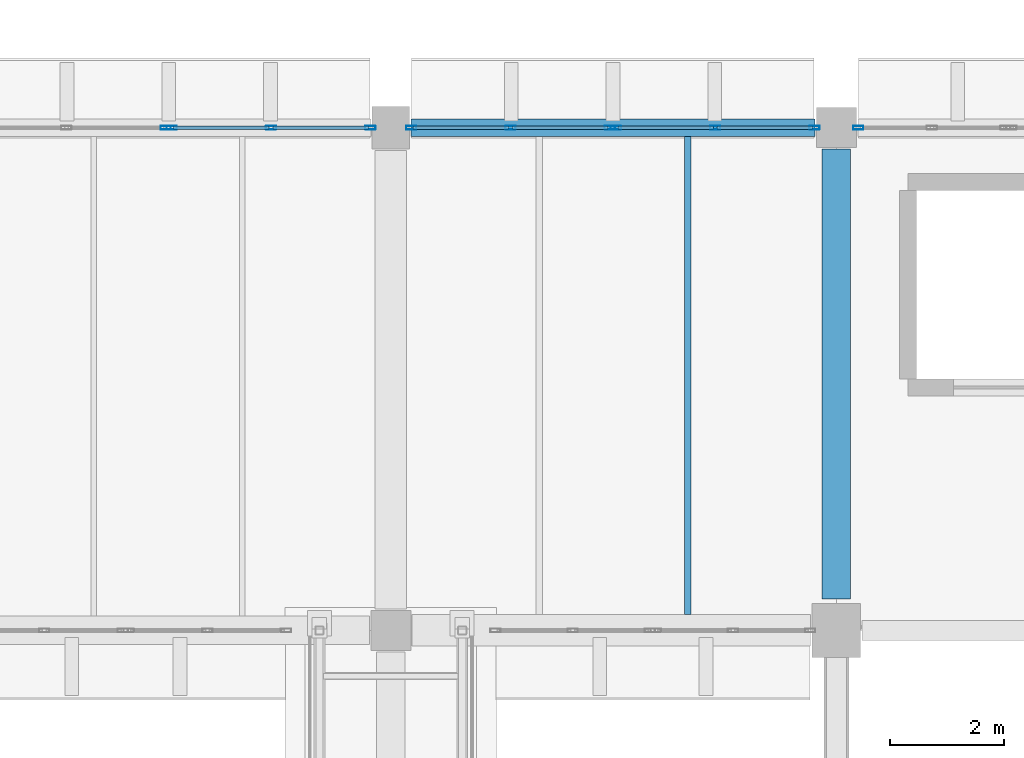
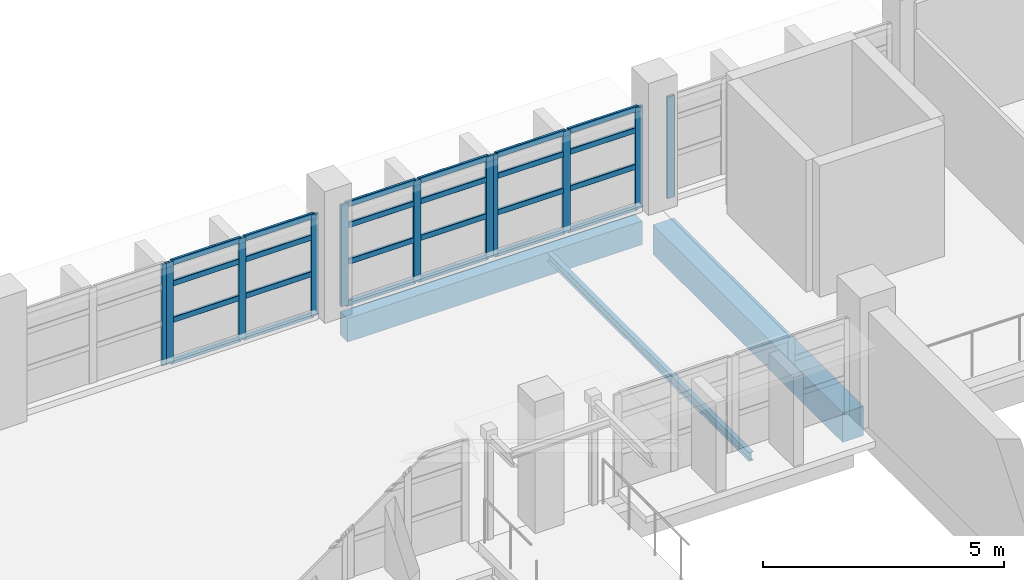
# One storey, part 29 of 75: 35 members, 3 beams, 5 elements without a shape of their own.
"""IFC4 building model written with IfcOpenShell, lengths in metres."""

from ifc_helpers import new_model, si_unit, direction, frame, origin, origin_2d, place, context, subcontext, project, spatial, rectangle, hollow_rectangle, i_section, extrude, material, material_profile, profile_set, type_object, element, aggregate, save


model = new_model("IFC4")

# Units and contexts
model_context = context("Model", 3, precision=1e-05, world=origin(), true_north=direction((0.0, 1.0)))
body_context = subcontext(model_context, "Body", "Model", "MODEL_VIEW")
ifc_project = project(units=[si_unit("LENGTHUNIT", "METRE"), si_unit("AREAUNIT", "SQUARE_METRE"), si_unit("VOLUMEUNIT", "CUBIC_METRE"), si_unit("PLANEANGLEUNIT", "RADIAN"), si_unit("MASSUNIT", "GRAM", prefix="KILO")], contexts=[model_context])

# Site, building, storey
site_placement = place(None, origin())
site = spatial("IfcSite", under=ifc_project, at=site_placement, CompositionType="ELEMENT")
building_placement = place(site_placement, origin())
building = spatial("IfcBuilding", under=site, at=building_placement, Name="Varnakota Cinema and Media Centre", CompositionType="ELEMENT")
storey_placement = place(building_placement, frame((0.0, 0.0, 8.39990234375)))
storey = spatial("IfcBuildingStorey", under=building, at=storey_placement, Name="L02", CompositionType="ELEMENT", Elevation=8.39990234375)

# Beams
ifc_material_1 = material(Name="Concrete M35", Category="concrete")
ifc_material_profile_1 = material_profile(ifc_material_1, rectangle(XDim=0.5, YDim=0.75, at=origin_2d()), Name="RCB 500x750")
ifc_profile_set_1 = profile_set([ifc_material_profile_1], Name="Concrete M35")
beam_type_1 = type_object("IfcBeamType", Name="BM-RC-500x750", PredefinedType="BEAM", material=ifc_profile_set_1)
beam_1_placement = place(storey_placement, frame((75.0, 35.75, -0.625), z_axis=(0.0, 1.0, 0.0), x_axis=(-1.0, 0.0, 0.0)))
element("IfcBeam", 1, at=beam_1_placement, inside=storey, type_object=beam_type_1, Name="L02 girder K/5-6", PredefinedType="BEAM", context=body_context, shape_type="SweptSolid", body=[
    extrude(rectangle(XDim=0.5, YDim=0.75, at=origin_2d()), origin(), (0.0, 0.0, 1.0), 7.875),
])
ifc_material_2 = material(Name="Concrete M35", Category="concrete")
ifc_material_profile_2 = material_profile(ifc_material_2, rectangle(XDim=0.300048828125, YDim=0.60009765625, at=origin_2d()), Name="RCB 300x600")
ifc_profile_set_2 = profile_set([ifc_material_profile_2], Name="Concrete M35")
beam_type_2 = type_object("IfcBeamType", Name="BM-SP-300x600", PredefinedType="SPANDREL", material=ifc_profile_set_2)
beam_2_placement = place(storey_placement, frame((67.550048828125, 44.0, -0.5498046875), z_axis=(1.0, 0.0, 0.0), x_axis=(0.0, 1.0, 0.0)))
element("IfcBeam", 2, at=beam_2_placement, inside=storey, type_object=beam_type_2, Name="L02 girder J-K/6", PredefinedType="SPANDREL", context=body_context, shape_type="SweptSolid", body=[
    extrude(rectangle(XDim=0.300048828125, YDim=0.60009765625, at=origin_2d()), origin(), (0.0, 0.0, 1.0), 7.074951171875),
])
ifc_material_3 = material(Name="Structural steel Grade 350 (E350)", Category="steel")
ifc_material_profile_3 = material_profile(ifc_material_3, i_section(OverallWidth=0.110107421875, OverallDepth=0.22509765625, WebThickness=0.006591796875, FlangeThickness=0.01171875, FilletRadius=0.011962890625, at=origin_2d()), Name="ISMB 225")
ifc_profile_set_3 = profile_set([ifc_material_profile_3], Name="Structural steel Grade 350 (E350)")
beam_type_3 = type_object("IfcBeamType", Name="BM-ST-ISMB225", PredefinedType="JOIST", material=ifc_profile_set_3)
beam_3_placement = place(storey_placement, frame((72.39990234375, 35.47509765625, -0.3623046875), z_axis=(0.0, 1.0, 0.0), x_axis=(-1.0, 0.0, 0.0)))
element("IfcBeam", 3, at=beam_3_placement, inside=storey, type_object=beam_type_3, Name="L02 steel joist J-K/5-6 #2", PredefinedType="JOIST", context=body_context, shape_type="SweptSolid", body=[
    extrude(i_section(OverallWidth=0.110107421875, OverallDepth=0.22509765625, WebThickness=0.006591796875, FlangeThickness=0.01171875, FilletRadius=0.011962890625, at=origin_2d()), origin(), (0.0, 0.0, 1.0), 8.375),
])

# Curtain wall, member
ifc_material_4 = material(Name="Thermally broken anodised aluminium AW-6063", Category="aluminium")
curtain_wall_type_1 = type_object("IfcCurtainWallType", Name="CW-STD-264x258", PredefinedType="USERDEFINED", material=ifc_material_4)
curtain_wall_1_placement = place(storey_placement, origin())
curtain_wall_1 = element("IfcCurtainWall", 4, at=curtain_wall_1_placement, inside=storey, type_object=curtain_wall_type_1, Name="L02 curtain wall CW-L02-V1-N-01-1", ObjectType="UNITISED CURTAIN WALL", PredefinedType="USERDEFINED")
ifc_material_5 = material(Name="Thermally broken anodised aluminium AW-6063", Category="aluminium")
ifc_material_profile_4 = material_profile(ifc_material_5, hollow_rectangle(XDim=0.06494140625, YDim=0.179931640625, WallThickness=0.00390625, InnerFilletRadius=0.00390625, OuterFilletRadius=0.008056640625, at=origin_2d()), Name="AL-MULLION 180x65x4")
ifc_profile_set_4 = profile_set([ifc_material_profile_4], Name="Thermally broken anodised aluminium AW-6063")
member_type_1 = type_object("IfcMemberType", Name="CWM-AL-180", PredefinedType="MULLION", material=ifc_profile_set_4)
member_1_placement = place(storey_placement, frame((75.382568359375, 44.0, 0.0), z_axis=(0.0, 0.0, 1.0), x_axis=(0.0, 1.0, 0.0)))
member_1 = element("IfcMember", 5, at=member_1_placement, type_object=member_type_1, Name="CW29 mullion 1", PredefinedType="MULLION", context=body_context, shape_type="SweptSolid", body=[
    extrude(hollow_rectangle(XDim=0.06494140625, YDim=0.179931640625, WallThickness=0.00390625, InnerFilletRadius=0.00390625, OuterFilletRadius=0.008056640625, at=origin_2d()), origin(), (0.0, 0.0, 1.0), 2.5751953125),
])
aggregate(curtain_wall_1, [member_1])

ifc_material_6 = material(Name="Thermally broken anodised aluminium AW-6063", Category="aluminium")
curtain_wall_type_2 = type_object("IfcCurtainWallType", Name="CW-STD-354x258", PredefinedType="USERDEFINED", material=ifc_material_6)
curtain_wall_2_placement = place(storey_placement, origin())
curtain_wall_2 = element("IfcCurtainWall", 6, at=curtain_wall_2_placement, inside=storey, type_object=curtain_wall_type_2, Name="L02 curtain wall CW-L02-LINK-N-03-1", ObjectType="UNITISED CURTAIN WALL", PredefinedType="USERDEFINED")
member_2_placement = place(storey_placement, frame((63.260009765625, 44.0, 0.0), z_axis=(0.0, 0.0, 1.0), x_axis=(0.0, 1.0, 0.0)))
member_2 = element("IfcMember", 7, at=member_2_placement, type_object=member_type_1, Name="CW31 mullion 3", PredefinedType="MULLION", context=body_context, shape_type="SweptSolid", body=[
    extrude(hollow_rectangle(XDim=0.06494140625, YDim=0.179931640625, WallThickness=0.00390625, InnerFilletRadius=0.00390625, OuterFilletRadius=0.008056640625, at=origin_2d()), origin(), (0.0, 0.0, 1.0), 2.5751953125),
])
aggregate(curtain_wall_2, [member_2])

# Curtain wall, members
curtain_wall_3_placement = place(storey_placement, origin())
curtain_wall_3 = element("IfcCurtainWall", 8, at=curtain_wall_3_placement, inside=storey, type_object=curtain_wall_type_2, Name="L02 curtain wall CW-L02-LINK-N-03-2", ObjectType="UNITISED CURTAIN WALL", PredefinedType="USERDEFINED")
member_3_placement = place(storey_placement, frame((63.364990234375, 44.0, 0.0), z_axis=(0.0, 0.0, 1.0), x_axis=(0.0, 1.0, 0.0)))
member_3 = element("IfcMember", 9, at=member_3_placement, type_object=member_type_1, Name="CW31 mullion 1", PredefinedType="MULLION", context=body_context, shape_type="SweptSolid", body=[
    extrude(hollow_rectangle(XDim=0.06494140625, YDim=0.179931640625, WallThickness=0.00390625, InnerFilletRadius=0.00390625, OuterFilletRadius=0.008056640625, at=origin_2d()), origin(), (0.0, 0.0, 1.0), 2.5751953125),
])
member_4_placement = place(storey_placement, frame((65.103759765625, 44.0, 0.0), z_axis=(0.0, 0.0, 1.0), x_axis=(0.0, 1.0, 0.0)))
member_4 = element("IfcMember", 10, at=member_4_placement, type_object=member_type_1, Name="CW31 mullion 2", PredefinedType="MULLION", context=body_context, shape_type="SweptSolid", body=[
    extrude(hollow_rectangle(XDim=0.06494140625, YDim=0.179931640625, WallThickness=0.00390625, InnerFilletRadius=0.00390625, OuterFilletRadius=0.008056640625, at=origin_2d()), origin(), (0.0, 0.0, 1.0), 2.5751953125),
])
member_5_placement = place(storey_placement, frame((66.842529296875, 44.0, 0.0), z_axis=(0.0, 0.0, 1.0), x_axis=(0.0, 1.0, 0.0)))
member_5 = element("IfcMember", 11, at=member_5_placement, type_object=member_type_1, Name="CW31 mullion 3", PredefinedType="MULLION", context=body_context, shape_type="SweptSolid", body=[
    extrude(hollow_rectangle(XDim=0.06494140625, YDim=0.179931640625, WallThickness=0.00390625, InnerFilletRadius=0.00390625, OuterFilletRadius=0.008056640625, at=origin_2d()), origin(), (0.0, 0.0, 1.0), 2.5751953125),
])

curtain_wall_4_placement = place(storey_placement, origin())
curtain_wall_4 = element("IfcCurtainWall", 12, at=curtain_wall_4_placement, inside=storey, type_object=curtain_wall_type_2, Name="L02 curtain wall CW-L02-LINK-N-04-1", ObjectType="UNITISED CURTAIN WALL", PredefinedType="USERDEFINED")
member_6_placement = place(storey_placement, frame((67.5576171875, 44.0, 0.0), z_axis=(0.0, 0.0, 1.0), x_axis=(0.0, 1.0, 0.0)))
member_6 = element("IfcMember", 13, at=member_6_placement, type_object=member_type_1, Name="CW31 mullion 1", PredefinedType="MULLION", context=body_context, shape_type="SweptSolid", body=[
    extrude(hollow_rectangle(XDim=0.06494140625, YDim=0.179931640625, WallThickness=0.00390625, InnerFilletRadius=0.00390625, OuterFilletRadius=0.008056640625, at=origin_2d()), origin(), (0.0, 0.0, 1.0), 2.5751953125),
])
member_7_placement = place(storey_placement, frame((69.296142578125, 44.0, 0.0), z_axis=(0.0, 0.0, 1.0), x_axis=(0.0, 1.0, 0.0)))
member_7 = element("IfcMember", 14, at=member_7_placement, type_object=member_type_1, Name="CW31 mullion 2", PredefinedType="MULLION", context=body_context, shape_type="SweptSolid", body=[
    extrude(hollow_rectangle(XDim=0.06494140625, YDim=0.179931640625, WallThickness=0.00390625, InnerFilletRadius=0.00390625, OuterFilletRadius=0.008056640625, at=origin_2d()), origin(), (0.0, 0.0, 1.0), 2.5751953125),
])
member_8_placement = place(storey_placement, frame((71.034912109375, 44.0, 0.0), z_axis=(0.0, 0.0, 1.0), x_axis=(0.0, 1.0, 0.0)))
member_8 = element("IfcMember", 15, at=member_8_placement, type_object=member_type_1, Name="CW31 mullion 3", PredefinedType="MULLION", context=body_context, shape_type="SweptSolid", body=[
    extrude(hollow_rectangle(XDim=0.06494140625, YDim=0.179931640625, WallThickness=0.00390625, InnerFilletRadius=0.00390625, OuterFilletRadius=0.008056640625, at=origin_2d()), origin(), (0.0, 0.0, 1.0), 2.5751953125),
])

curtain_wall_5_placement = place(storey_placement, origin())
curtain_wall_5 = element("IfcCurtainWall", 16, at=curtain_wall_5_placement, inside=storey, type_object=curtain_wall_type_2, Name="L02 curtain wall CW-L02-LINK-N-04-2", ObjectType="UNITISED CURTAIN WALL", PredefinedType="USERDEFINED")
member_9_placement = place(storey_placement, frame((71.139892578125, 44.0, 0.0), z_axis=(0.0, 0.0, 1.0), x_axis=(0.0, 1.0, 0.0)))
member_9 = element("IfcMember", 17, at=member_9_placement, type_object=member_type_1, Name="CW31 mullion 1", PredefinedType="MULLION", context=body_context, shape_type="SweptSolid", body=[
    extrude(hollow_rectangle(XDim=0.06494140625, YDim=0.179931640625, WallThickness=0.00390625, InnerFilletRadius=0.00390625, OuterFilletRadius=0.008056640625, at=origin_2d()), origin(), (0.0, 0.0, 1.0), 2.5751953125),
])
member_10_placement = place(storey_placement, frame((72.878662109375, 44.0, 0.0), z_axis=(0.0, 0.0, 1.0), x_axis=(0.0, 1.0, 0.0)))
member_10 = element("IfcMember", 18, at=member_10_placement, type_object=member_type_1, Name="CW31 mullion 2", PredefinedType="MULLION", context=body_context, shape_type="SweptSolid", body=[
    extrude(hollow_rectangle(XDim=0.06494140625, YDim=0.179931640625, WallThickness=0.00390625, InnerFilletRadius=0.00390625, OuterFilletRadius=0.008056640625, at=origin_2d()), origin(), (0.0, 0.0, 1.0), 2.5751953125),
])
member_11_placement = place(storey_placement, frame((74.617431640625, 44.0, 0.0), z_axis=(0.0, 0.0, 1.0), x_axis=(0.0, 1.0, 0.0)))
member_11 = element("IfcMember", 19, at=member_11_placement, type_object=member_type_1, Name="CW31 mullion 3", PredefinedType="MULLION", context=body_context, shape_type="SweptSolid", body=[
    extrude(hollow_rectangle(XDim=0.06494140625, YDim=0.179931640625, WallThickness=0.00390625, InnerFilletRadius=0.00390625, OuterFilletRadius=0.008056640625, at=origin_2d()), origin(), (0.0, 0.0, 1.0), 2.5751953125),
])

# Member
ifc_material_7 = material(Name="Thermally broken anodised aluminium AW-6063", Category="aluminium")
ifc_material_profile_5 = material_profile(ifc_material_7, hollow_rectangle(XDim=0.06494140625, YDim=0.139892578125, WallThickness=0.00390625, InnerFilletRadius=0.00390625, OuterFilletRadius=0.008056640625, at=origin_2d()), Name="AL-TRANSOM 140x65x4")
ifc_profile_set_5 = profile_set([ifc_material_profile_5], Name="Thermally broken anodised aluminium AW-6063")
member_type_2 = type_object("IfcMemberType", Name="CWT-AL-140", PredefinedType="USERDEFINED", material=ifc_profile_set_5)
member_12_placement = place(storey_placement, frame((63.3974609375, 44.0, 0.03271484375), z_axis=(1.0, 0.0, 0.0), x_axis=(0.0, 1.0, 0.0)))
member_12 = element("IfcMember", 20, at=member_12_placement, type_object=member_type_2, Name="CW31 transom 1.1", ObjectType="TRANSOM", PredefinedType="USERDEFINED", context=body_context, shape_type="SweptSolid", body=[
    extrude(hollow_rectangle(XDim=0.06494140625, YDim=0.139892578125, WallThickness=0.00390625, InnerFilletRadius=0.00390625, OuterFilletRadius=0.008056640625, at=origin_2d()), origin(), (0.0, 0.0, 1.0), 1.673828125),
])

member_13_placement = place(storey_placement, frame((63.3974609375, 44.0, 1.08154296875), z_axis=(1.0, 0.0, 0.0), x_axis=(0.0, 1.0, 0.0)))
member_13 = element("IfcMember", 21, at=member_13_placement, type_object=member_type_2, Name="CW31 transom 1.2", ObjectType="TRANSOM", PredefinedType="USERDEFINED", context=body_context, shape_type="SweptSolid", body=[
    extrude(hollow_rectangle(XDim=0.06494140625, YDim=0.139892578125, WallThickness=0.00390625, InnerFilletRadius=0.00390625, OuterFilletRadius=0.008056640625, at=origin_2d()), origin(), (0.0, 0.0, 1.0), 1.673828125),
])

member_14_placement = place(storey_placement, frame((63.3974609375, 44.0, 2.008544921875), z_axis=(1.0, 0.0, 0.0), x_axis=(0.0, 1.0, 0.0)))
member_14 = element("IfcMember", 22, at=member_14_placement, type_object=member_type_2, Name="CW31 transom 1.3", ObjectType="TRANSOM", PredefinedType="USERDEFINED", context=body_context, shape_type="SweptSolid", body=[
    extrude(hollow_rectangle(XDim=0.06494140625, YDim=0.139892578125, WallThickness=0.00390625, InnerFilletRadius=0.00390625, OuterFilletRadius=0.008056640625, at=origin_2d()), origin(), (0.0, 0.0, 1.0), 1.673828125),
])

member_15_placement = place(storey_placement, frame((63.3974609375, 44.0, 2.54248046875), z_axis=(1.0, 0.0, 0.0), x_axis=(0.0, 1.0, 0.0)))
member_15 = element("IfcMember", 23, at=member_15_placement, type_object=member_type_2, Name="CW31 transom 1.4", ObjectType="TRANSOM", PredefinedType="USERDEFINED", context=body_context, shape_type="SweptSolid", body=[
    extrude(hollow_rectangle(XDim=0.06494140625, YDim=0.139892578125, WallThickness=0.00390625, InnerFilletRadius=0.00390625, OuterFilletRadius=0.008056640625, at=origin_2d()), origin(), (0.0, 0.0, 1.0), 1.673828125),
])

member_16_placement = place(storey_placement, frame((65.13623046875, 44.0, 0.03271484375), z_axis=(1.0, 0.0, 0.0), x_axis=(0.0, 1.0, 0.0)))
member_16 = element("IfcMember", 24, at=member_16_placement, type_object=member_type_2, Name="CW31 transom 2.1", ObjectType="TRANSOM", PredefinedType="USERDEFINED", context=body_context, shape_type="SweptSolid", body=[
    extrude(hollow_rectangle(XDim=0.06494140625, YDim=0.139892578125, WallThickness=0.00390625, InnerFilletRadius=0.00390625, OuterFilletRadius=0.008056640625, at=origin_2d()), origin(), (0.0, 0.0, 1.0), 1.673828125),
])

member_17_placement = place(storey_placement, frame((65.13623046875, 44.0, 1.08154296875), z_axis=(1.0, 0.0, 0.0), x_axis=(0.0, 1.0, 0.0)))
member_17 = element("IfcMember", 25, at=member_17_placement, type_object=member_type_2, Name="CW31 transom 2.2", ObjectType="TRANSOM", PredefinedType="USERDEFINED", context=body_context, shape_type="SweptSolid", body=[
    extrude(hollow_rectangle(XDim=0.06494140625, YDim=0.139892578125, WallThickness=0.00390625, InnerFilletRadius=0.00390625, OuterFilletRadius=0.008056640625, at=origin_2d()), origin(), (0.0, 0.0, 1.0), 1.673828125),
])

member_18_placement = place(storey_placement, frame((65.13623046875, 44.0, 2.008544921875), z_axis=(1.0, 0.0, 0.0), x_axis=(0.0, 1.0, 0.0)))
member_18 = element("IfcMember", 26, at=member_18_placement, type_object=member_type_2, Name="CW31 transom 2.3", ObjectType="TRANSOM", PredefinedType="USERDEFINED", context=body_context, shape_type="SweptSolid", body=[
    extrude(hollow_rectangle(XDim=0.06494140625, YDim=0.139892578125, WallThickness=0.00390625, InnerFilletRadius=0.00390625, OuterFilletRadius=0.008056640625, at=origin_2d()), origin(), (0.0, 0.0, 1.0), 1.673828125),
])

member_19_placement = place(storey_placement, frame((65.13623046875, 44.0, 2.54248046875), z_axis=(1.0, 0.0, 0.0), x_axis=(0.0, 1.0, 0.0)))
member_19 = element("IfcMember", 27, at=member_19_placement, type_object=member_type_2, Name="CW31 transom 2.4", ObjectType="TRANSOM", PredefinedType="USERDEFINED", context=body_context, shape_type="SweptSolid", body=[
    extrude(hollow_rectangle(XDim=0.06494140625, YDim=0.139892578125, WallThickness=0.00390625, InnerFilletRadius=0.00390625, OuterFilletRadius=0.008056640625, at=origin_2d()), origin(), (0.0, 0.0, 1.0), 1.673828125),
])

aggregate(curtain_wall_3, [member_3, member_4, member_5, member_12, member_13, member_14, member_15, member_16, member_17, member_18, member_19])

member_20_placement = place(storey_placement, frame((67.590087890625, 44.0, 0.03271484375), z_axis=(1.0, 0.0, 0.0), x_axis=(0.0, 1.0, 0.0)))
member_20 = element("IfcMember", 28, at=member_20_placement, type_object=member_type_2, Name="CW31 transom 1.1", ObjectType="TRANSOM", PredefinedType="USERDEFINED", context=body_context, shape_type="SweptSolid", body=[
    extrude(hollow_rectangle(XDim=0.06494140625, YDim=0.139892578125, WallThickness=0.00390625, InnerFilletRadius=0.00390625, OuterFilletRadius=0.008056640625, at=origin_2d()), origin(), (0.0, 0.0, 1.0), 1.673583984375),
])

member_21_placement = place(storey_placement, frame((67.590087890625, 44.0, 1.08154296875), z_axis=(1.0, 0.0, 0.0), x_axis=(0.0, 1.0, 0.0)))
member_21 = element("IfcMember", 29, at=member_21_placement, type_object=member_type_2, Name="CW31 transom 1.2", ObjectType="TRANSOM", PredefinedType="USERDEFINED", context=body_context, shape_type="SweptSolid", body=[
    extrude(hollow_rectangle(XDim=0.06494140625, YDim=0.139892578125, WallThickness=0.00390625, InnerFilletRadius=0.00390625, OuterFilletRadius=0.008056640625, at=origin_2d()), origin(), (0.0, 0.0, 1.0), 1.673583984375),
])

member_22_placement = place(storey_placement, frame((67.590087890625, 44.0, 2.008544921875), z_axis=(1.0, 0.0, 0.0), x_axis=(0.0, 1.0, 0.0)))
member_22 = element("IfcMember", 30, at=member_22_placement, type_object=member_type_2, Name="CW31 transom 1.3", ObjectType="TRANSOM", PredefinedType="USERDEFINED", context=body_context, shape_type="SweptSolid", body=[
    extrude(hollow_rectangle(XDim=0.06494140625, YDim=0.139892578125, WallThickness=0.00390625, InnerFilletRadius=0.00390625, OuterFilletRadius=0.008056640625, at=origin_2d()), origin(), (0.0, 0.0, 1.0), 1.673583984375),
])

member_23_placement = place(storey_placement, frame((67.590087890625, 44.0, 2.54248046875), z_axis=(1.0, 0.0, 0.0), x_axis=(0.0, 1.0, 0.0)))
member_23 = element("IfcMember", 31, at=member_23_placement, type_object=member_type_2, Name="CW31 transom 1.4", ObjectType="TRANSOM", PredefinedType="USERDEFINED", context=body_context, shape_type="SweptSolid", body=[
    extrude(hollow_rectangle(XDim=0.06494140625, YDim=0.139892578125, WallThickness=0.00390625, InnerFilletRadius=0.00390625, OuterFilletRadius=0.008056640625, at=origin_2d()), origin(), (0.0, 0.0, 1.0), 1.673583984375),
])

member_24_placement = place(storey_placement, frame((69.328857421875, 44.0, 0.03271484375), z_axis=(1.0, 0.0, 0.0), x_axis=(0.0, 1.0, 0.0)))
member_24 = element("IfcMember", 32, at=member_24_placement, type_object=member_type_2, Name="CW31 transom 2.1", ObjectType="TRANSOM", PredefinedType="USERDEFINED", context=body_context, shape_type="SweptSolid", body=[
    extrude(hollow_rectangle(XDim=0.06494140625, YDim=0.139892578125, WallThickness=0.00390625, InnerFilletRadius=0.00390625, OuterFilletRadius=0.008056640625, at=origin_2d()), origin(), (0.0, 0.0, 1.0), 1.673583984375),
])

member_25_placement = place(storey_placement, frame((69.328857421875, 44.0, 1.08154296875), z_axis=(1.0, 0.0, 0.0), x_axis=(0.0, 1.0, 0.0)))
member_25 = element("IfcMember", 33, at=member_25_placement, type_object=member_type_2, Name="CW31 transom 2.2", ObjectType="TRANSOM", PredefinedType="USERDEFINED", context=body_context, shape_type="SweptSolid", body=[
    extrude(hollow_rectangle(XDim=0.06494140625, YDim=0.139892578125, WallThickness=0.00390625, InnerFilletRadius=0.00390625, OuterFilletRadius=0.008056640625, at=origin_2d()), origin(), (0.0, 0.0, 1.0), 1.673583984375),
])

member_26_placement = place(storey_placement, frame((69.328857421875, 44.0, 2.008544921875), z_axis=(1.0, 0.0, 0.0), x_axis=(0.0, 1.0, 0.0)))
member_26 = element("IfcMember", 34, at=member_26_placement, type_object=member_type_2, Name="CW31 transom 2.3", ObjectType="TRANSOM", PredefinedType="USERDEFINED", context=body_context, shape_type="SweptSolid", body=[
    extrude(hollow_rectangle(XDim=0.06494140625, YDim=0.139892578125, WallThickness=0.00390625, InnerFilletRadius=0.00390625, OuterFilletRadius=0.008056640625, at=origin_2d()), origin(), (0.0, 0.0, 1.0), 1.673583984375),
])

member_27_placement = place(storey_placement, frame((69.328857421875, 44.0, 2.54248046875), z_axis=(1.0, 0.0, 0.0), x_axis=(0.0, 1.0, 0.0)))
member_27 = element("IfcMember", 35, at=member_27_placement, type_object=member_type_2, Name="CW31 transom 2.4", ObjectType="TRANSOM", PredefinedType="USERDEFINED", context=body_context, shape_type="SweptSolid", body=[
    extrude(hollow_rectangle(XDim=0.06494140625, YDim=0.139892578125, WallThickness=0.00390625, InnerFilletRadius=0.00390625, OuterFilletRadius=0.008056640625, at=origin_2d()), origin(), (0.0, 0.0, 1.0), 1.673583984375),
])

aggregate(curtain_wall_4, [member_6, member_7, member_8, member_20, member_21, member_22, member_23, member_24, member_25, member_26, member_27])

member_28_placement = place(storey_placement, frame((71.172607421875, 44.0, 0.03271484375), z_axis=(1.0, 0.0, 0.0), x_axis=(0.0, 1.0, 0.0)))
member_28 = element("IfcMember", 36, at=member_28_placement, type_object=member_type_2, Name="CW31 transom 1.1", ObjectType="TRANSOM", PredefinedType="USERDEFINED", context=body_context, shape_type="SweptSolid", body=[
    extrude(hollow_rectangle(XDim=0.06494140625, YDim=0.139892578125, WallThickness=0.00390625, InnerFilletRadius=0.00390625, OuterFilletRadius=0.008056640625, at=origin_2d()), origin(), (0.0, 0.0, 1.0), 1.673583984375),
])

member_29_placement = place(storey_placement, frame((71.172607421875, 44.0, 1.08154296875), z_axis=(1.0, 0.0, 0.0), x_axis=(0.0, 1.0, 0.0)))
member_29 = element("IfcMember", 37, at=member_29_placement, type_object=member_type_2, Name="CW31 transom 1.2", ObjectType="TRANSOM", PredefinedType="USERDEFINED", context=body_context, shape_type="SweptSolid", body=[
    extrude(hollow_rectangle(XDim=0.06494140625, YDim=0.139892578125, WallThickness=0.00390625, InnerFilletRadius=0.00390625, OuterFilletRadius=0.008056640625, at=origin_2d()), origin(), (0.0, 0.0, 1.0), 1.673583984375),
])

member_30_placement = place(storey_placement, frame((71.172607421875, 44.0, 2.008544921875), z_axis=(1.0, 0.0, 0.0), x_axis=(0.0, 1.0, 0.0)))
member_30 = element("IfcMember", 38, at=member_30_placement, type_object=member_type_2, Name="CW31 transom 1.3", ObjectType="TRANSOM", PredefinedType="USERDEFINED", context=body_context, shape_type="SweptSolid", body=[
    extrude(hollow_rectangle(XDim=0.06494140625, YDim=0.139892578125, WallThickness=0.00390625, InnerFilletRadius=0.00390625, OuterFilletRadius=0.008056640625, at=origin_2d()), origin(), (0.0, 0.0, 1.0), 1.673583984375),
])

member_31_placement = place(storey_placement, frame((71.172607421875, 44.0, 2.54248046875), z_axis=(1.0, 0.0, 0.0), x_axis=(0.0, 1.0, 0.0)))
member_31 = element("IfcMember", 39, at=member_31_placement, type_object=member_type_2, Name="CW31 transom 1.4", ObjectType="TRANSOM", PredefinedType="USERDEFINED", context=body_context, shape_type="SweptSolid", body=[
    extrude(hollow_rectangle(XDim=0.06494140625, YDim=0.139892578125, WallThickness=0.00390625, InnerFilletRadius=0.00390625, OuterFilletRadius=0.008056640625, at=origin_2d()), origin(), (0.0, 0.0, 1.0), 1.673583984375),
])

member_32_placement = place(storey_placement, frame((72.9111328125, 44.0, 0.03271484375), z_axis=(1.0, 0.0, 0.0), x_axis=(0.0, 1.0, 0.0)))
member_32 = element("IfcMember", 40, at=member_32_placement, type_object=member_type_2, Name="CW31 transom 2.1", ObjectType="TRANSOM", PredefinedType="USERDEFINED", context=body_context, shape_type="SweptSolid", body=[
    extrude(hollow_rectangle(XDim=0.06494140625, YDim=0.139892578125, WallThickness=0.00390625, InnerFilletRadius=0.00390625, OuterFilletRadius=0.008056640625, at=origin_2d()), origin(), (0.0, 0.0, 1.0), 1.673828125),
])

member_33_placement = place(storey_placement, frame((72.9111328125, 44.0, 1.08154296875), z_axis=(1.0, 0.0, 0.0), x_axis=(0.0, 1.0, 0.0)))
member_33 = element("IfcMember", 41, at=member_33_placement, type_object=member_type_2, Name="CW31 transom 2.2", ObjectType="TRANSOM", PredefinedType="USERDEFINED", context=body_context, shape_type="SweptSolid", body=[
    extrude(hollow_rectangle(XDim=0.06494140625, YDim=0.139892578125, WallThickness=0.00390625, InnerFilletRadius=0.00390625, OuterFilletRadius=0.008056640625, at=origin_2d()), origin(), (0.0, 0.0, 1.0), 1.673828125),
])

member_34_placement = place(storey_placement, frame((72.9111328125, 44.0, 2.008544921875), z_axis=(1.0, 0.0, 0.0), x_axis=(0.0, 1.0, 0.0)))
member_34 = element("IfcMember", 42, at=member_34_placement, type_object=member_type_2, Name="CW31 transom 2.3", ObjectType="TRANSOM", PredefinedType="USERDEFINED", context=body_context, shape_type="SweptSolid", body=[
    extrude(hollow_rectangle(XDim=0.06494140625, YDim=0.139892578125, WallThickness=0.00390625, InnerFilletRadius=0.00390625, OuterFilletRadius=0.008056640625, at=origin_2d()), origin(), (0.0, 0.0, 1.0), 1.673828125),
])

member_35_placement = place(storey_placement, frame((72.9111328125, 44.0, 2.54248046875), z_axis=(1.0, 0.0, 0.0), x_axis=(0.0, 1.0, 0.0)))
member_35 = element("IfcMember", 43, at=member_35_placement, type_object=member_type_2, Name="CW31 transom 2.4", ObjectType="TRANSOM", PredefinedType="USERDEFINED", context=body_context, shape_type="SweptSolid", body=[
    extrude(hollow_rectangle(XDim=0.06494140625, YDim=0.139892578125, WallThickness=0.00390625, InnerFilletRadius=0.00390625, OuterFilletRadius=0.008056640625, at=origin_2d()), origin(), (0.0, 0.0, 1.0), 1.673828125),
])

aggregate(curtain_wall_5, [member_9, member_10, member_11, member_28, member_29, member_30, member_31, member_32, member_33, member_34, member_35])

save(model, "model.ifc")
